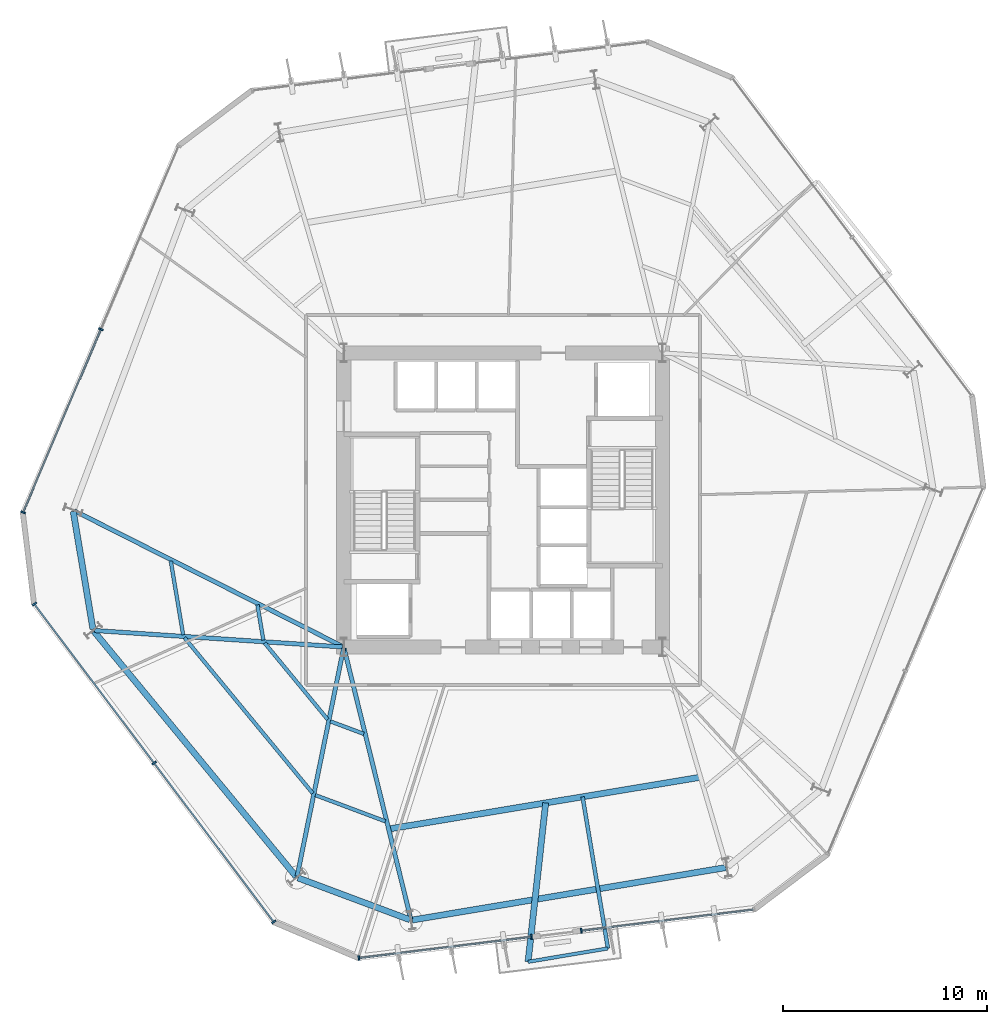
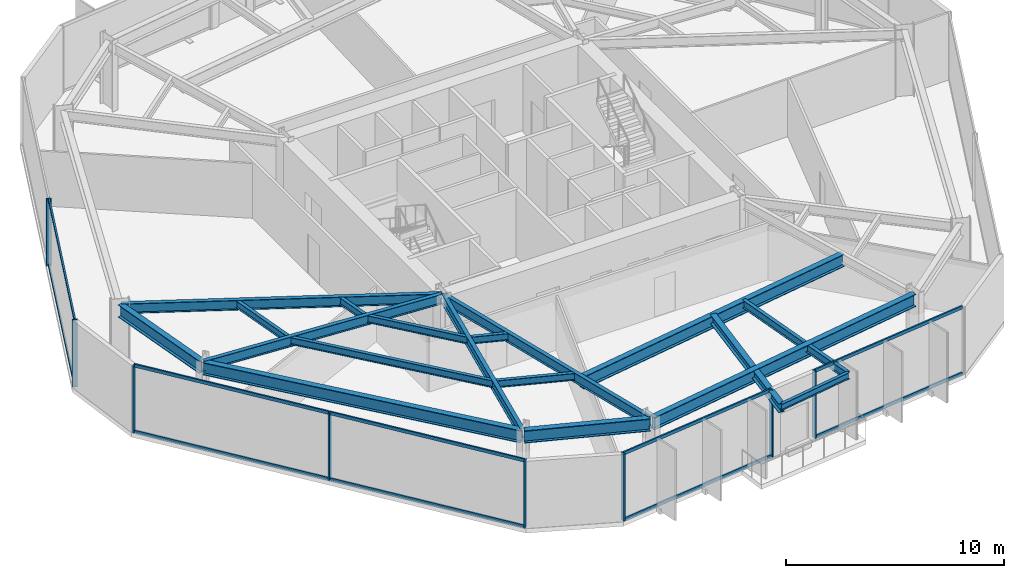
# One storey, part 2 of 11: 18 beams, 18 members, 4 elements without a shape of their own.
"""IFC4 building model written with IfcOpenShell, lengths in metres."""

from ifc_helpers import new_model, si_unit, direction, frame, origin, origin_2d, place, context, subcontext, project, spatial, rectangle, i_section, extrude, material, layer, layer_set, material_profile, profile_set, type_object, element, aggregate, save


model = new_model("IFC4")

# Units and contexts
model_context = context("Model", 3, precision=1e-05, world=origin(), true_north=direction((0.0, 1.0)))
body_context = subcontext(model_context, "Body", "Model", "MODEL_VIEW")
ifc_project = project(units=[si_unit("LENGTHUNIT", "METRE"), si_unit("AREAUNIT", "SQUARE_METRE"), si_unit("VOLUMEUNIT", "CUBIC_METRE"), si_unit("PLANEANGLEUNIT", "RADIAN"), si_unit("MASSUNIT", "GRAM", prefix="KILO")], contexts=[model_context])

# Site, building, storey
site_placement = place(None, origin())
site = spatial("IfcSite", under=ifc_project, at=site_placement, CompositionType="ELEMENT")
building_placement = place(site_placement, origin())
building = spatial("IfcBuilding", under=site, at=building_placement, Name="Kranzbogen Civic Tower", CompositionType="ELEMENT")
storey_placement = place(building_placement, frame((0.0, 0.0, 48.0)))
storey = spatial("IfcBuildingStorey", under=building, at=storey_placement, Name="L11", CompositionType="ELEMENT", Elevation=48.0)

# Beam
ifc_material_1 = material(Name="Steel S355", Category="steel")
ifc_material_profile_1 = material_profile(ifc_material_1, i_section(OverallWidth=0.18994140625, OverallDepth=0.449951171875, WebThickness=0.009521484375, FlangeThickness=0.0146484375, at=origin_2d()), Name="IPE 450")
ifc_profile_set_1 = profile_set([ifc_material_profile_1], Name="Steel S355")
beam_type_1 = type_object("IfcBeamType", Name="Braced Terrace Edge Beam IPE 450", PredefinedType="BEAM", material=ifc_profile_set_1)
beam_1_placement = place(storey_placement, frame((28.889892578125, 10.467041015625, 3.52490234375), z_axis=(0.165067088303, -0.986282341097, 0.0), x_axis=(0.986282341097, 0.165067088303, 0.0)))
element("IfcBeam", 1, at=beam_1_placement, inside=storey, type_object=beam_type_1, Name="L12 back-spanned terrace beam L12-TB2-2", PredefinedType="BEAM", context=body_context, shape_type="SweptSolid", body=[
    extrude(i_section(OverallWidth=0.18994140625, OverallDepth=0.449951171875, WebThickness=0.009521484375, FlangeThickness=0.0146484375, at=origin_2d()), origin(), (0.0, 0.0, 1.0), 7.525390625),
])

# Curtain wall, members
ifc_material_2 = material(Name="Pale Anodised Aluminium", Category="aluminium")
ifc_layer = layer(ifc_material_2, 0.219970703125, Name="Pale Anodised Aluminium")
ifc_layer_set = layer_set([ifc_layer], Name="Pale Anodised Aluminium")
curtain_wall_type = type_object("IfcCurtainWallType", Name="Zone 1 Stick Curtain Wall System CW-02", PredefinedType="USERDEFINED", material=ifc_layer_set)
curtain_wall_1_placement = place(storey_placement, origin())
curtain_wall_1 = element("IfcCurtainWall", 2, at=curtain_wall_1_placement, inside=storey, type_object=curtain_wall_type, Name="L11 curtain wall CW-L11-F3", ObjectType="STICK CURTAIN WALL", PredefinedType="USERDEFINED")
ifc_material_profile_2 = material_profile(ifc_material_2, rectangle(XDim=0.080078125, YDim=0.239990234375, at=origin_2d()), Name="ALU-M 80x240")
ifc_profile_set_2 = profile_set([ifc_material_profile_2], Name="Pale Anodised Aluminium")
member_type_1 = type_object("IfcMemberType", Name="Curtain Wall Mullion ALU-M 80x240", PredefinedType="MULLION", material=ifc_profile_set_2)
member_1_placement = place(storey_placement, frame((5.303466796875, 33.360595703125, 0.0), z_axis=(0.0, 0.0, 1.0), x_axis=(-0.390779797784, -0.920484193044, 0.0)))
member_1 = element("IfcMember", 3, at=member_1_placement, type_object=member_type_1, Name="CW-02 mullion 2", PredefinedType="MULLION", context=body_context, shape_type="SweptSolid", body=[
    extrude(rectangle(XDim=0.080078125, YDim=0.239990234375, at=origin_2d()), origin(), (0.0, 0.0, 1.0), 3.760009765625),
])
member_2_placement = place(storey_placement, frame((1.496826171875, 24.3935546875, 0.0), z_axis=(0.0, 0.0, 1.0), x_axis=(-0.390779797784, -0.920484193044, 0.0)))
member_2 = element("IfcMember", 4, at=member_2_placement, type_object=member_type_1, Name="CW-02 mullion 3", PredefinedType="MULLION", context=body_context, shape_type="SweptSolid", body=[
    extrude(rectangle(XDim=0.080078125, YDim=0.239990234375, at=origin_2d()), origin(), (0.0, 0.0, 1.0), 3.760009765625),
])

curtain_wall_2_placement = place(storey_placement, origin())
curtain_wall_2 = element("IfcCurtainWall", 5, at=curtain_wall_2_placement, inside=storey, type_object=curtain_wall_type, Name="L11 curtain wall CW-L11-F4", ObjectType="STICK CURTAIN WALL", PredefinedType="USERDEFINED")
member_3_placement = place(storey_placement, frame((2.049072265625, 19.902099609375, 0.0), z_axis=(0.0, 0.0, 1.0), x_axis=(0.601824225047, -0.798628575839, 0.0)))
member_3 = element("IfcMember", 6, at=member_3_placement, type_object=member_type_1, Name="CW-02 mullion 1", PredefinedType="MULLION", context=body_context, shape_type="SweptSolid", body=[
    extrude(rectangle(XDim=0.080078125, YDim=0.239990234375, at=origin_2d()), origin(), (0.0, 0.0, 1.0), 3.760009765625),
])
member_4_placement = place(storey_placement, frame((7.91162109375, 12.12255859375, 0.0), z_axis=(0.0, 0.0, 1.0), x_axis=(0.601824225047, -0.798628575839, 0.0)))
member_4 = element("IfcMember", 7, at=member_4_placement, type_object=member_type_1, Name="CW-02 mullion 2", PredefinedType="MULLION", context=body_context, shape_type="SweptSolid", body=[
    extrude(rectangle(XDim=0.080078125, YDim=0.239990234375, at=origin_2d()), origin(), (0.0, 0.0, 1.0), 3.760009765625),
])
member_5_placement = place(storey_placement, frame((13.77392578125, 4.343017578125, 0.0), z_axis=(0.0, 0.0, 1.0), x_axis=(0.601824225047, -0.798628575839, 0.0)))
member_5 = element("IfcMember", 8, at=member_5_placement, type_object=member_type_1, Name="CW-02 mullion 3", PredefinedType="MULLION", context=body_context, shape_type="SweptSolid", body=[
    extrude(rectangle(XDim=0.080078125, YDim=0.239990234375, at=origin_2d()), origin(), (0.0, 0.0, 1.0), 3.760009765625),
])

curtain_wall_3_placement = place(storey_placement, origin())
curtain_wall_3 = element("IfcCurtainWall", 9, at=curtain_wall_3_placement, inside=storey, type_object=curtain_wall_type, Name="L11 curtain wall CW-L11-F5-S1", ObjectType="STICK CURTAIN WALL", PredefinedType="USERDEFINED")
member_6_placement = place(storey_placement, frame((17.938720703125, 2.57470703125, 0.0), z_axis=(0.0, 0.0, 1.0), x_axis=(0.992555336015, 0.121794519367, 0.0)))
member_6 = element("IfcMember", 10, at=member_6_placement, type_object=member_type_1, Name="CW-02 mullion 1", PredefinedType="MULLION", context=body_context, shape_type="SweptSolid", body=[
    extrude(rectangle(XDim=0.080078125, YDim=0.239990234375, at=origin_2d()), origin(), (0.0, 0.0, 1.0), 3.760009765625),
])
member_7_placement = place(storey_placement, frame((26.38720703125, 3.611328125, 0.0), z_axis=(0.0, 0.0, 1.0), x_axis=(0.992555336015, 0.121794519367, 0.0)))
member_7 = element("IfcMember", 11, at=member_7_placement, type_object=member_type_1, Name="CW-02 mullion 2", PredefinedType="MULLION", context=body_context, shape_type="SweptSolid", body=[
    extrude(rectangle(XDim=0.080078125, YDim=0.239990234375, at=origin_2d()), origin(), (0.0, 0.0, 1.0), 3.760009765625),
])

# Curtain wall, member
curtain_wall_4_placement = place(storey_placement, origin())
curtain_wall_4 = element("IfcCurtainWall", 12, at=curtain_wall_4_placement, inside=storey, type_object=curtain_wall_type, Name="L11 curtain wall CW-L11-F5-S2", ObjectType="STICK CURTAIN WALL", PredefinedType="USERDEFINED")
member_8_placement = place(storey_placement, frame((28.828857421875, 3.91162109375, 0.0), z_axis=(0.0, 0.0, 1.0), x_axis=(0.99255360517, 0.121808623929, 0.0)))
member_8 = element("IfcMember", 13, at=member_8_placement, type_object=member_type_1, Name="CW-02 mullion 1", PredefinedType="MULLION", context=body_context, shape_type="SweptSolid", body=[
    extrude(rectangle(XDim=0.080078125, YDim=0.239990234375, at=origin_2d()), origin(), (0.0, 0.0, 1.0), 3.760009765625),
])

# Member
ifc_material_profile_3 = material_profile(ifc_material_2, rectangle(XDim=0.080078125, YDim=0.179931640625, at=origin_2d()), Name="ALU-T 80x180")
ifc_profile_set_3 = profile_set([ifc_material_profile_3], Name="Pale Anodised Aluminium")
member_type_2 = type_object("IfcMemberType", Name="Curtain Wall Transom ALU-T 80x180", PredefinedType="USERDEFINED", material=ifc_profile_set_3)
member_9_placement = place(storey_placement, frame((5.291748046875, 33.332763671875, 0.030029296875), z_axis=(-0.390770022526, -0.920488342943, 0.0), x_axis=(0.920488342943, -0.390770022526, 0.0)))
member_9 = element("IfcMember", 14, at=member_9_placement, type_object=member_type_2, Name="CW-02 transom 2.1", ObjectType="TRANSOM", PredefinedType="USERDEFINED", context=body_context, shape_type="SweptSolid", body=[
    extrude(rectangle(XDim=0.080078125, YDim=0.179931640625, at=origin_2d()), origin(), (0.0, 0.0, 1.0), 9.681396484375),
])

member_10_placement = place(storey_placement, frame((5.291748046875, 33.332763671875, 3.72998046875), z_axis=(-0.390770022526, -0.920488342943, 0.0), x_axis=(0.920488342943, -0.390770022526, 0.0)))
member_10 = element("IfcMember", 15, at=member_10_placement, type_object=member_type_2, Name="CW-02 transom 2.2", ObjectType="TRANSOM", PredefinedType="USERDEFINED", context=body_context, shape_type="SweptSolid", body=[
    extrude(rectangle(XDim=0.080078125, YDim=0.179931640625, at=origin_2d()), origin(), (0.0, 0.0, 1.0), 9.681396484375),
])

aggregate(curtain_wall_1, [member_1, member_2, member_9, member_10])

member_11_placement = place(storey_placement, frame((2.067138671875, 19.878173828125, 0.030029296875), z_axis=(0.601826230551, -0.798627064543, 0.0), x_axis=(0.798627064543, 0.601826230551, 0.0)))
member_11 = element("IfcMember", 16, at=member_11_placement, type_object=member_type_2, Name="CW-02 transom 1.1", ObjectType="TRANSOM", PredefinedType="USERDEFINED", context=body_context, shape_type="SweptSolid", body=[
    extrude(rectangle(XDim=0.080078125, YDim=0.179931640625, at=origin_2d()), origin(), (0.0, 0.0, 1.0), 9.68115234375),
])

member_12_placement = place(storey_placement, frame((2.067138671875, 19.878173828125, 3.72998046875), z_axis=(0.601826230551, -0.798627064543, 0.0), x_axis=(0.798627064543, 0.601826230551, 0.0)))
member_12 = element("IfcMember", 17, at=member_12_placement, type_object=member_type_2, Name="CW-02 transom 1.2", ObjectType="TRANSOM", PredefinedType="USERDEFINED", context=body_context, shape_type="SweptSolid", body=[
    extrude(rectangle(XDim=0.080078125, YDim=0.179931640625, at=origin_2d()), origin(), (0.0, 0.0, 1.0), 9.68115234375),
])

member_13_placement = place(storey_placement, frame((7.929443359375, 12.0986328125, 0.030029296875), z_axis=(0.601826230551, -0.798627064543, 0.0), x_axis=(0.798627064543, 0.601826230551, 0.0)))
member_13 = element("IfcMember", 18, at=member_13_placement, type_object=member_type_2, Name="CW-02 transom 2.1", ObjectType="TRANSOM", PredefinedType="USERDEFINED", context=body_context, shape_type="SweptSolid", body=[
    extrude(rectangle(XDim=0.080078125, YDim=0.179931640625, at=origin_2d()), origin(), (0.0, 0.0, 1.0), 9.68115234375),
])

member_14_placement = place(storey_placement, frame((7.929443359375, 12.0986328125, 3.72998046875), z_axis=(0.601826230551, -0.798627064543, 0.0), x_axis=(0.798627064543, 0.601826230551, 0.0)))
member_14 = element("IfcMember", 19, at=member_14_placement, type_object=member_type_2, Name="CW-02 transom 2.2", ObjectType="TRANSOM", PredefinedType="USERDEFINED", context=body_context, shape_type="SweptSolid", body=[
    extrude(rectangle(XDim=0.080078125, YDim=0.179931640625, at=origin_2d()), origin(), (0.0, 0.0, 1.0), 9.68115234375),
])

aggregate(curtain_wall_2, [member_3, member_4, member_5, member_11, member_12, member_13, member_14])

member_15_placement = place(storey_placement, frame((17.968505859375, 2.578369140625, 0.030029296875), z_axis=(0.992556631292, 0.121783963142, 0.0), x_axis=(-0.121783963142, 0.992556631292, 0.0)))
member_15 = element("IfcMember", 20, at=member_15_placement, type_object=member_type_2, Name="CW-02 transom 1.1", ObjectType="TRANSOM", PredefinedType="USERDEFINED", context=body_context, shape_type="SweptSolid", body=[
    extrude(rectangle(XDim=0.080078125, YDim=0.179931640625, at=origin_2d()), origin(), (0.0, 0.0, 1.0), 8.451904296875),
])

member_16_placement = place(storey_placement, frame((17.968505859375, 2.578369140625, 3.72998046875), z_axis=(0.992556631292, 0.121783963142, 0.0), x_axis=(-0.121783963142, 0.992556631292, 0.0)))
member_16 = element("IfcMember", 21, at=member_16_placement, type_object=member_type_2, Name="CW-02 transom 1.2", ObjectType="TRANSOM", PredefinedType="USERDEFINED", context=body_context, shape_type="SweptSolid", body=[
    extrude(rectangle(XDim=0.080078125, YDim=0.179931640625, at=origin_2d()), origin(), (0.0, 0.0, 1.0), 8.451904296875),
])

aggregate(curtain_wall_3, [member_6, member_7, member_15, member_16])

member_17_placement = place(storey_placement, frame((28.858642578125, 3.915283203125, 0.030029296875), z_axis=(0.992554488731, 0.121801424045, 0.0), x_axis=(-0.121801424045, 0.992554488731, 0.0)))
member_17 = element("IfcMember", 22, at=member_17_placement, type_object=member_type_2, Name="CW-02 transom 1.1", ObjectType="TRANSOM", PredefinedType="USERDEFINED", context=body_context, shape_type="SweptSolid", body=[
    extrude(rectangle(XDim=0.080078125, YDim=0.179931640625, at=origin_2d()), origin(), (0.0, 0.0, 1.0), 8.45068359375),
])

member_18_placement = place(storey_placement, frame((28.858642578125, 3.915283203125, 3.72998046875), z_axis=(0.992554488731, 0.121801424045, 0.0), x_axis=(-0.121801424045, 0.992554488731, 0.0)))
member_18 = element("IfcMember", 23, at=member_18_placement, type_object=member_type_2, Name="CW-02 transom 1.2", ObjectType="TRANSOM", PredefinedType="USERDEFINED", context=body_context, shape_type="SweptSolid", body=[
    extrude(rectangle(XDim=0.080078125, YDim=0.179931640625, at=origin_2d()), origin(), (0.0, 0.0, 1.0), 8.45068359375),
])

aggregate(curtain_wall_4, [member_8, member_17, member_18])

# Beams
ifc_material_profile_4 = material_profile(ifc_material_1, i_section(OverallWidth=0.300048828125, OverallDepth=0.5, WebThickness=0.014404296875, FlangeThickness=0.028076171875, at=origin_2d()), Name="HEB 500")
ifc_profile_set_4 = profile_set([ifc_material_profile_4], Name="Steel S355")
beam_type_2 = type_object("IfcBeamType", Name="Perimeter Tube Spandrel Beam HEB 500", PredefinedType="SPANDREL", material=ifc_profile_set_4)
beam_2_placement = place(storey_placement, frame((27.083984375, 10.1669921875, 3.5), z_axis=(-0.110157594547, -0.993914133295, 0.0), x_axis=(0.993914133295, -0.110157594547, 0.0)))
element("IfcBeam", 24, at=beam_2_placement, inside=storey, type_object=beam_type_2, Name="L12 back-spanned terrace beam L12-TB2-1", PredefinedType="SPANDREL", context=body_context, shape_type="SweptSolid", body=[
    extrude(i_section(OverallWidth=0.300048828125, OverallDepth=0.5, WebThickness=0.014404296875, FlangeThickness=0.028076171875, at=origin_2d()), origin(), (0.0, 0.0, 1.0), 7.82568359375),
])
ifc_material_profile_5 = material_profile(ifc_material_1, i_section(OverallWidth=0.300048828125, OverallDepth=0.699951171875, WebThickness=0.01708984375, FlangeThickness=0.031982421875, at=origin_2d()), Name="HEB 700")
ifc_profile_set_5 = profile_set([ifc_material_profile_5], Name="Steel S355")
beam_type_3 = type_object("IfcBeamType", Name="Perimeter Tube Spandrel Beam HEB 700", PredefinedType="SPANDREL", material=ifc_profile_set_5)
beam_3_placement = place(storey_placement, frame((3.952880859375, 24.445068359375, 3.409912109375), z_axis=(0.164913116942, -0.986308097838, 0.0), x_axis=(0.986308097838, 0.164913116942, 0.0)))
element("IfcBeam", 25, at=beam_3_placement, inside=storey, type_object=beam_type_3, Name="L11 perimeter spandrel beam 01", PredefinedType="SPANDREL", context=body_context, shape_type="SweptSolid", body=[
    extrude(i_section(OverallWidth=0.300048828125, OverallDepth=0.699951171875, WebThickness=0.01708984375, FlangeThickness=0.031982421875, at=origin_2d()), origin(), (0.0, 0.0, 1.0), 5.85205078125),
])
beam_4_placement = place(storey_placement, frame((4.966064453125, 18.568115234375, 3.409912109375), z_axis=(0.636074572579, -0.771627590304, 0.0), x_axis=(0.771627590304, 0.636074572579, 0.0)))
element("IfcBeam", 26, at=beam_4_placement, inside=storey, type_object=beam_type_3, Name="L11 perimeter spandrel beam 02", PredefinedType="SPANDREL", context=body_context, shape_type="SweptSolid", body=[
    extrude(i_section(OverallWidth=0.300048828125, OverallDepth=0.699951171875, WebThickness=0.01708984375, FlangeThickness=0.031982421875, at=origin_2d()), origin(), (0.0, 0.0, 1.0), 15.5595703125),
])
beam_5_placement = place(storey_placement, frame((14.95703125, 6.4951171875, 3.409912109375), z_axis=(0.936647646965, -0.350273015568, 0.0), x_axis=(0.350273015568, 0.936647646965, 0.0)))
element("IfcBeam", 27, at=beam_5_placement, inside=storey, type_object=beam_type_3, Name="L11 perimeter spandrel beam 03", PredefinedType="SPANDREL", context=body_context, shape_type="SweptSolid", body=[
    extrude(i_section(OverallWidth=0.300048828125, OverallDepth=0.699951171875, WebThickness=0.01708984375, FlangeThickness=0.031982421875, at=origin_2d()), origin(), (0.0, 0.0, 1.0), 5.852783203125),
])
beam_6_placement = place(storey_placement, frame((20.553955078125, 4.43408203125, 3.409912109375), z_axis=(0.986285563243, 0.165047834697, 0.0), x_axis=(-0.165047834697, 0.986285563243, 0.0)))
element("IfcBeam", 28, at=beam_6_placement, inside=storey, type_object=beam_type_3, Name="L11 perimeter spandrel beam 04", PredefinedType="SPANDREL", context=body_context, shape_type="SweptSolid", body=[
    extrude(i_section(OverallWidth=0.300048828125, OverallDepth=0.699951171875, WebThickness=0.01708984375, FlangeThickness=0.031982421875, at=origin_2d()), origin(), (0.0, 0.0, 1.0), 15.558349609375),
])
beam_7_placement = place(storey_placement, frame((19.39501953125, 8.889892578125, 3.39990234375), z_axis=(0.9864781902, 0.163892587571, 0.0), x_axis=(-0.163892587571, 0.9864781902, 0.0)))
element("IfcBeam", 29, at=beam_7_placement, inside=storey, type_object=beam_type_3, Name="L12 balcony back-span header girder L12-TB2", PredefinedType="SPANDREL", context=body_context, shape_type="SweptSolid", body=[
    extrude(i_section(OverallWidth=0.300048828125, OverallDepth=0.699951171875, WebThickness=0.01708984375, FlangeThickness=0.031982421875, at=origin_2d()), origin(), (0.0, 0.0, 1.0), 15.480224609375),
])
ifc_material_profile_6 = material_profile(ifc_material_1, i_section(OverallWidth=0.2099609375, OverallDepth=0.550048828125, WebThickness=0.010986328125, FlangeThickness=0.01708984375, at=origin_2d()), Name="IPE 550")
ifc_profile_set_6 = profile_set([ifc_material_profile_6], Name="Steel S355")
beam_type_4 = type_object("IfcBeamType", Name="Radial Tower Floor Girder IPE 550", PredefinedType="BEAM", material=ifc_profile_set_6)
beam_8_placement = place(storey_placement, frame((3.9970703125, 24.47705078125, 3.485107421875), z_axis=(0.892363219254, -0.451317942168, 0.0), x_axis=(0.451317942168, 0.892363219254, 0.0)))
element("IfcBeam", 30, at=beam_8_placement, inside=storey, type_object=beam_type_4, Name="L11 radial floor girder 01", PredefinedType="BEAM", context=body_context, shape_type="SweptSolid", body=[
    extrude(i_section(OverallWidth=0.2099609375, OverallDepth=0.550048828125, WebThickness=0.010986328125, FlangeThickness=0.01708984375, at=origin_2d()), origin(), (0.0, 0.0, 1.0), 14.73486328125),
])
beam_9_placement = place(storey_placement, frame((4.988037109375, 18.610107421875, 3.485107421875), z_axis=(0.99780674843, -0.066194356156, 0.0), x_axis=(0.066194356156, 0.99780674843, 0.0)))
element("IfcBeam", 31, at=beam_9_placement, inside=storey, type_object=beam_type_4, Name="L11 radial floor girder 02", PredefinedType="BEAM", context=body_context, shape_type="SweptSolid", body=[
    extrude(i_section(OverallWidth=0.2099609375, OverallDepth=0.550048828125, WebThickness=0.010986328125, FlangeThickness=0.01708984375, at=origin_2d()), origin(), (0.0, 0.0, 1.0), 12.178466796875),
])
beam_10_placement = place(storey_placement, frame((14.9130859375, 6.574951171875, 3.485107421875), z_axis=(0.199633433694, 0.979870650725, 0.0), x_axis=(-0.979870650725, 0.199633433694, 0.0)))
element("IfcBeam", 32, at=beam_10_placement, inside=storey, type_object=beam_type_4, Name="L11 radial floor girder 03", PredefinedType="BEAM", context=body_context, shape_type="SweptSolid", body=[
    extrude(i_section(OverallWidth=0.2099609375, OverallDepth=0.550048828125, WebThickness=0.010986328125, FlangeThickness=0.01708984375, at=origin_2d()), origin(), (0.0, 0.0, 1.0), 11.3955078125),
])
beam_11_placement = place(storey_placement, frame((20.48095703125, 4.48193359375, 3.485107421875), z_axis=(-0.239215348776, 0.970966537482, 0.0), x_axis=(-0.970966537482, -0.239215348776, 0.0)))
element("IfcBeam", 33, at=beam_11_placement, inside=storey, type_object=beam_type_4, Name="L11 radial floor girder 04", PredefinedType="BEAM", context=body_context, shape_type="SweptSolid", body=[
    extrude(i_section(OverallWidth=0.2099609375, OverallDepth=0.550048828125, WebThickness=0.010986328125, FlangeThickness=0.01708984375, at=origin_2d()), origin(), (0.0, 0.0, 1.0), 13.656494140625),
])
ifc_material_profile_7 = material_profile(ifc_material_1, i_section(OverallWidth=0.169921875, OverallDepth=0.360107421875, WebThickness=0.008056640625, FlangeThickness=0.0126953125, at=origin_2d()), Name="IPE 360")
ifc_profile_set_7 = profile_set([ifc_material_profile_7], Name="Steel S355")
beam_type_5 = type_object("IfcBeamType", Name="Secondary Composite Floor Joist IPE 360", PredefinedType="JOIST", material=ifc_profile_set_7)
beam_12_placement = place(storey_placement, frame((26.221923828125, 2.388916015625, 3.570068359375), z_axis=(0.986216946205, 0.165457351052, 0.0), x_axis=(-0.165457351052, 0.986216946205, 0.0)))
element("IfcBeam", 34, at=beam_12_placement, inside=storey, type_object=beam_type_5, Name="L12 terrace outer edge trimmer L12-TB2", PredefinedType="JOIST", context=body_context, shape_type="SweptSolid", body=[
    extrude(i_section(OverallWidth=0.169921875, OverallDepth=0.360107421875, WebThickness=0.008056640625, FlangeThickness=0.0126953125, at=origin_2d()), origin(), (0.0, 0.0, 1.0), 3.96484375),
])
ifc_material_profile_8 = material_profile(ifc_material_1, i_section(OverallWidth=0.179931640625, OverallDepth=0.39990234375, WebThickness=0.008544921875, FlangeThickness=0.013427734375, at=origin_2d()), Name="IPE 400")
ifc_profile_set_8 = profile_set([ifc_material_profile_8], Name="Steel S355")
beam_type_6 = type_object("IfcBeamType", Name="Secondary Composite Floor Joist IPE 400", PredefinedType="JOIST", material=ifc_profile_set_8)
beam_13_placement = place(storey_placement, frame((8.72900390625, 22.011962890625, 3.56005859375), z_axis=(0.164928678379, -0.986305495802, 0.0), x_axis=(0.986305495802, 0.164928678379, 0.0)))
element("IfcBeam", 35, at=beam_13_placement, inside=storey, type_object=beam_type_6, Name="L11 secondary floor joist 1.01", PredefinedType="JOIST", context=body_context, shape_type="SweptSolid", body=[
    extrude(i_section(OverallWidth=0.179931640625, OverallDepth=0.39990234375, WebThickness=0.008544921875, FlangeThickness=0.013427734375, at=origin_2d()), origin(), (0.0, 0.0, 1.0), 3.662109375),
])
beam_14_placement = place(storey_placement, frame((12.970947265625, 19.865966796875, 3.56005859375), z_axis=(0.165077224104, -0.986280644686, 0.0), x_axis=(0.986280644686, 0.165077224104, 0.0)))
element("IfcBeam", 36, at=beam_14_placement, inside=storey, type_object=beam_type_6, Name="L11 secondary floor joist 2.01", PredefinedType="JOIST", context=body_context, shape_type="SweptSolid", body=[
    extrude(i_section(OverallWidth=0.179931640625, OverallDepth=0.39990234375, WebThickness=0.008544921875, FlangeThickness=0.013427734375, at=origin_2d()), origin(), (0.0, 0.0, 1.0), 1.7509765625),
])
beam_15_placement = place(storey_placement, frame((9.39697265625, 18.259033203125, 3.56005859375), z_axis=(0.636094561772, -0.771611112209, 0.0), x_axis=(0.771611112209, 0.636094561772, 0.0)))
element("IfcBeam", 37, at=beam_15_placement, inside=storey, type_object=beam_type_6, Name="L11 secondary floor joist 1.02", PredefinedType="JOIST", context=body_context, shape_type="SweptSolid", body=[
    extrude(i_section(OverallWidth=0.179931640625, OverallDepth=0.39990234375, WebThickness=0.008544921875, FlangeThickness=0.013427734375, at=origin_2d()), origin(), (0.0, 0.0, 1.0), 9.874267578125),
])
beam_16_placement = place(storey_placement, frame((13.323974609375, 17.9990234375, 3.56005859375), z_axis=(0.636012010413, -0.771679157818, 0.0), x_axis=(0.771679157818, 0.636012010413, 0.0)))
element("IfcBeam", 38, at=beam_16_placement, inside=storey, type_object=beam_type_6, Name="L11 secondary floor joist 2.02", PredefinedType="JOIST", context=body_context, shape_type="SweptSolid", body=[
    extrude(i_section(OverallWidth=0.179931640625, OverallDepth=0.39990234375, WebThickness=0.008544921875, FlangeThickness=0.013427734375, at=origin_2d()), origin(), (0.0, 0.0, 1.0), 4.85693359375),
])
beam_17_placement = place(storey_placement, frame((15.803955078125, 10.550048828125, 3.56005859375), z_axis=(0.936622008794, -0.350341565678, 0.0), x_axis=(0.350341565678, 0.936622008794, 0.0)))
element("IfcBeam", 39, at=beam_17_placement, inside=storey, type_object=beam_type_6, Name="L11 secondary floor joist 1.03", PredefinedType="JOIST", context=body_context, shape_type="SweptSolid", body=[
    extrude(i_section(OverallWidth=0.179931640625, OverallDepth=0.39990234375, WebThickness=0.008544921875, FlangeThickness=0.013427734375, at=origin_2d()), origin(), (0.0, 0.0, 1.0), 3.662109375),
])
beam_18_placement = place(storey_placement, frame((16.5390625, 14.160888671875, 3.56005859375), z_axis=(0.936735458815, -0.350038112495, 0.0), x_axis=(0.350038112495, 0.936735458815, 0.0)))
element("IfcBeam", 40, at=beam_18_placement, inside=storey, type_object=beam_type_6, Name="L11 secondary floor joist 2.03", PredefinedType="JOIST", context=body_context, shape_type="SweptSolid", body=[
    extrude(i_section(OverallWidth=0.179931640625, OverallDepth=0.39990234375, WebThickness=0.008544921875, FlangeThickness=0.013427734375, at=origin_2d()), origin(), (0.0, 0.0, 1.0), 1.750732421875),
])

save(model, "model.ifc")
